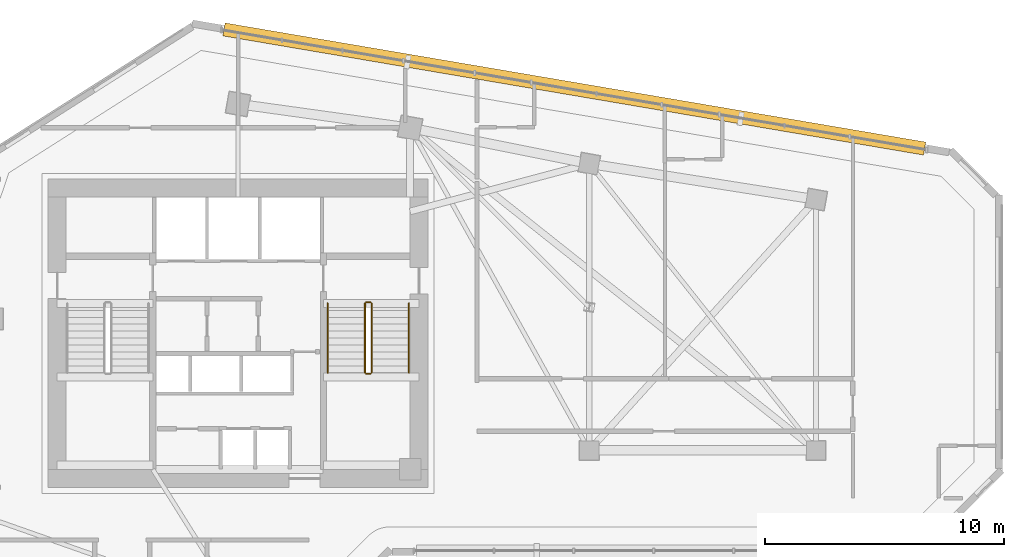
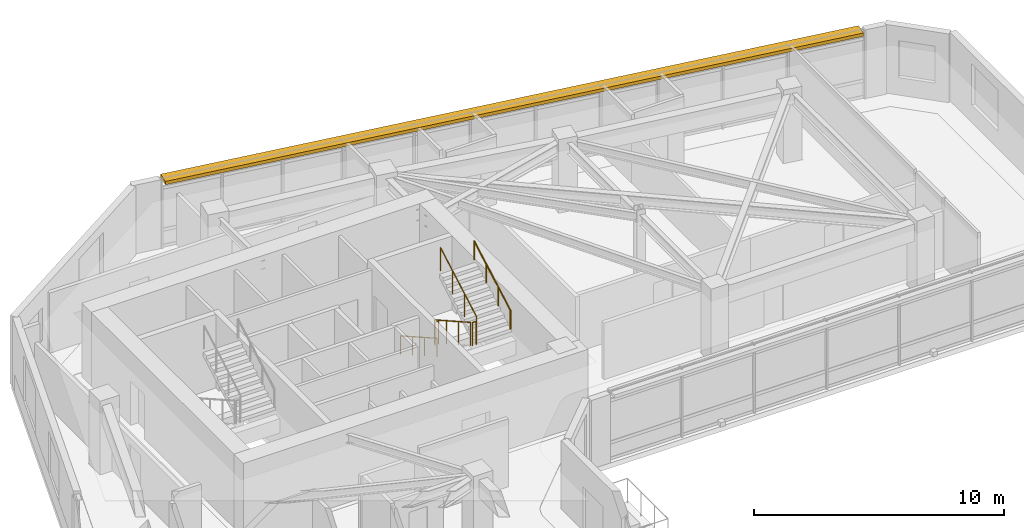
# One storey, part 10 of 10: 6 railings, 1 shading device.
"""IFC4 building model written with IfcOpenShell, lengths in metres."""

from ifc_helpers import new_model, si_unit, direction, frame, frame_2d, origin, origin_2d, place, context, subcontext, project, spatial, rectangle, circle, extrude, material, type_object, element, save


model = new_model("IFC4")

# Units and contexts
model_context = context("Model", 3, precision=1e-05, world=origin(), true_north=direction((0.0, 1.0)))
body_context = subcontext(model_context, "Body", "Model", "MODEL_VIEW")
ifc_project = project(units=[si_unit("LENGTHUNIT", "METRE"), si_unit("AREAUNIT", "SQUARE_METRE"), si_unit("VOLUMEUNIT", "CUBIC_METRE"), si_unit("PLANEANGLEUNIT", "RADIAN"), si_unit("MASSUNIT", "GRAM", prefix="KILO")], contexts=[model_context])

# Site, building, storey
site_placement = place(None, origin())
site = spatial("IfcSite", under=ifc_project, at=site_placement, CompositionType="ELEMENT")
building_placement = place(site_placement, origin())
building = spatial("IfcBuilding", under=site, at=building_placement, Name="Calvemar Wedge Station Tower", CompositionType="ELEMENT")
storey_placement = place(building_placement, frame((0.0, 0.0, 146.60009765625)))
storey = spatial("IfcBuildingStorey", under=building, at=storey_placement, Name="L36", CompositionType="ELEMENT", Elevation=146.60009765625)

# Railings
ifc_material_1 = material(Name="Stainless steel AISI 316L", Category="steel")
railing_type_1 = type_object("IfcRailingType", Name="RL-HANDRAIL-920", PredefinedType="HANDRAIL", material=ifc_material_1)
railing_1_placement = place(storey_placement, frame((27.550048828125, 41.14990234375, 0.16357421875)))
element("IfcRailing", 1, at=railing_1_placement, inside=storey, type_object=railing_type_1, Name="L36 ST-C2 stair handrail 1", PredefinedType="HANDRAIL", context=body_context, shape_type="SweptSolid", body=[
    extrude(circle(Radius=0.02392578125, at=origin_2d()), frame((0.0, 0.0, 0.89599609375), z_axis=(0.0, -0.870928581787, 0.491409610636), x_axis=(1.0, 0.0, 0.0)), (0.0, 0.0, 1.0), 3.32958984375),
    extrude(circle(Radius=0.02099609375, at=origin_2d()), origin(), (0.0, 0.0, 1.0), 0.871826171875),
    extrude(circle(Radius=0.02099609375, at=origin_2d()), frame((0.0, -0.966552734375, 0.54541015625)), (0.0, 0.0, 1.0), 0.871826171875),
    extrude(circle(Radius=0.02099609375, at=origin_2d()), frame((0.0, -1.933349609375, 1.0908203125)), (0.0, 0.0, 1.0), 0.871826171875),
    extrude(circle(Radius=0.02099609375, at=origin_2d()), frame((0.0, -2.89990234375, 1.63623046875)), (0.0, 0.0, 1.0), 0.871826171875),
])
railing_2_placement = place(storey_placement, frame((30.949951171875, 38.25, 1.963623046875)))
element("IfcRailing", 2, at=railing_2_placement, inside=storey, type_object=railing_type_1, Name="L36 ST-C2 stair handrail 2", PredefinedType="HANDRAIL", context=body_context, shape_type="SweptSolid", body=[
    extrude(circle(Radius=0.02392578125, at=origin_2d()), frame((0.0, 0.0, 0.89599609375), z_axis=(0.0, 0.870928581787, 0.491409610636), x_axis=(-1.0, 0.0, 0.0)), (0.0, 0.0, 1.0), 3.32958984375),
    extrude(circle(Radius=0.02099609375, at=origin_2d()), origin(), (0.0, 0.0, 1.0), 0.871826171875),
    extrude(circle(Radius=0.02099609375, at=origin_2d()), frame((0.0, 0.966552734375, 0.54541015625)), (0.0, 0.0, 1.0), 0.871826171875),
    extrude(circle(Radius=0.02099609375, at=origin_2d()), frame((0.0, 1.933349609375, 1.0908203125)), (0.0, 0.0, 1.0), 0.871826171875),
    extrude(circle(Radius=0.02099609375, at=origin_2d()), frame((0.0, 2.89990234375, 1.63623046875)), (0.0, 0.0, 1.0), 0.871826171875),
])
ifc_material_2 = material(Name="Painted steel guardrail ASTM A500 Grade C", Category="steel")
railing_type_2 = type_object("IfcRailingType", Name="RL-STAIR-GUARD-1150", PredefinedType="GUARDRAIL", material=ifc_material_2)
railing_3_placement = place(storey_placement, frame((29.110107421875, 41.14990234375, 0.16357421875)))
element("IfcRailing", 3, at=railing_3_placement, inside=storey, type_object=railing_type_2, Name="L36 ST-C2 stair guard 1", PredefinedType="GUARDRAIL", context=body_context, shape_type="SweptSolid", body=[
    extrude(circle(Radius=0.02392578125, at=origin_2d()), frame((0.0, 0.0, 1.1259765625), z_axis=(0.0, -0.870928581787, 0.491409610636), x_axis=(1.0, 0.0, 0.0)), (0.0, 0.0, 1.0), 3.32958984375),
    extrude(circle(Radius=0.02099609375, at=origin_2d()), origin(), (0.0, 0.0, 1.0), 1.101806640625),
    extrude(circle(Radius=0.02099609375, at=origin_2d()), frame((0.0, -0.966552734375, 0.54541015625)), (0.0, 0.0, 1.0), 1.101806640625),
    extrude(circle(Radius=0.02099609375, at=origin_2d()), frame((0.0, -1.933349609375, 1.0908203125)), (0.0, 0.0, 1.0), 1.101806640625),
    extrude(circle(Radius=0.02099609375, at=origin_2d()), frame((0.0, -2.89990234375, 1.63623046875)), (0.0, 0.0, 1.0), 1.101806640625),
])
railing_4_placement = place(storey_placement, frame((29.159912109375, 38.199951171875, 1.7998046875)))
element("IfcRailing", 4, at=railing_4_placement, inside=storey, type_object=railing_type_2, Name="L36 ST-C2 stair guard 2", PredefinedType="GUARDRAIL", context=body_context, shape_type="SweptSolid", body=[
    extrude(circle(Radius=0.02392578125, at=origin_2d()), frame((0.0, 0.0, 1.1259765625), z_axis=(1.0, 0.0, 0.0), x_axis=(0.0, 1.0, 0.0)), (0.0, 0.0, 1.0), 0.18017578125),
    extrude(circle(Radius=0.02099609375, at=origin_2d()), origin(), (0.0, 0.0, 1.0), 1.101806640625),
    extrude(circle(Radius=0.02099609375, at=origin_2d()), frame((0.18017578125, 0.0, 0.0)), (0.0, 0.0, 1.0), 1.101806640625),
])
railing_5_placement = place(storey_placement, frame((29.389892578125, 38.25, 1.963623046875)))
element("IfcRailing", 5, at=railing_5_placement, inside=storey, type_object=railing_type_2, Name="L36 ST-C2 stair guard 3", PredefinedType="GUARDRAIL", context=body_context, shape_type="SweptSolid", body=[
    extrude(circle(Radius=0.02392578125, at=origin_2d()), frame((0.0, 0.0, 1.1259765625), z_axis=(0.0, 0.870928581787, 0.491409610636), x_axis=(-1.0, 0.0, 0.0)), (0.0, 0.0, 1.0), 3.32958984375),
    extrude(circle(Radius=0.02099609375, at=origin_2d()), origin(), (0.0, 0.0, 1.0), 1.101806640625),
    extrude(circle(Radius=0.02099609375, at=origin_2d()), frame((0.0, 0.966552734375, 0.54541015625)), (0.0, 0.0, 1.0), 1.101806640625),
    extrude(circle(Radius=0.02099609375, at=origin_2d()), frame((0.0, 1.933349609375, 1.0908203125)), (0.0, 0.0, 1.0), 1.101806640625),
    extrude(circle(Radius=0.02099609375, at=origin_2d()), frame((0.0, 2.89990234375, 1.63623046875)), (0.0, 0.0, 1.0), 1.101806640625),
])
railing_6_placement = place(storey_placement, frame((29.159912109375, 41.199951171875, 0.0)))
element("IfcRailing", 6, at=railing_6_placement, inside=storey, type_object=railing_type_2, Name="L36 ST-C2 stair guard 4", PredefinedType="GUARDRAIL", context=body_context, shape_type="SweptSolid", body=[
    extrude(circle(Radius=0.02392578125, at=origin_2d()), frame((0.0, 0.0, 1.1259765625), z_axis=(1.0, 0.0, 0.0), x_axis=(0.0, 1.0, 0.0)), (0.0, 0.0, 1.0), 0.18017578125),
    extrude(circle(Radius=0.02099609375, at=origin_2d()), origin(), (0.0, 0.0, 1.0), 1.101806640625),
    extrude(circle(Radius=0.02099609375, at=origin_2d()), frame((0.18017578125, 0.0, 0.0)), (0.0, 0.0, 1.0), 1.101806640625),
])

# Shading device
ifc_material_3 = material(Name="Precast concrete C45", Category="concrete")
shading_device_type = type_object("IfcShadingDeviceType", Name="SHD-EYEBROW-1", PredefinedType="SHUTTER", material=ifc_material_3)
shading_device_placement = place(storey_placement, frame((52.54150390625, 47.633544921875, 3.169921875), z_axis=(0.0, 0.0, 1.0), x_axis=(-0.985845160577, 0.167658341178, 0.0)))
element("IfcShadingDevice", 7, at=shading_device_placement, inside=storey, type_object=shading_device_type, Name="Storey L36 Bronze GFRC Solar Eyebrow 10", PredefinedType="SHUTTER", context=body_context, shape_type="SweptSolid", body=[
    extrude(rectangle(XDim=29.751220703125, YDim=0.550048828125, at=frame_2d((14.87548828125, 0.0))), origin(), (0.0, 0.0, 1.0), 0.159912109375),
])

save(model, "model.ifc")
